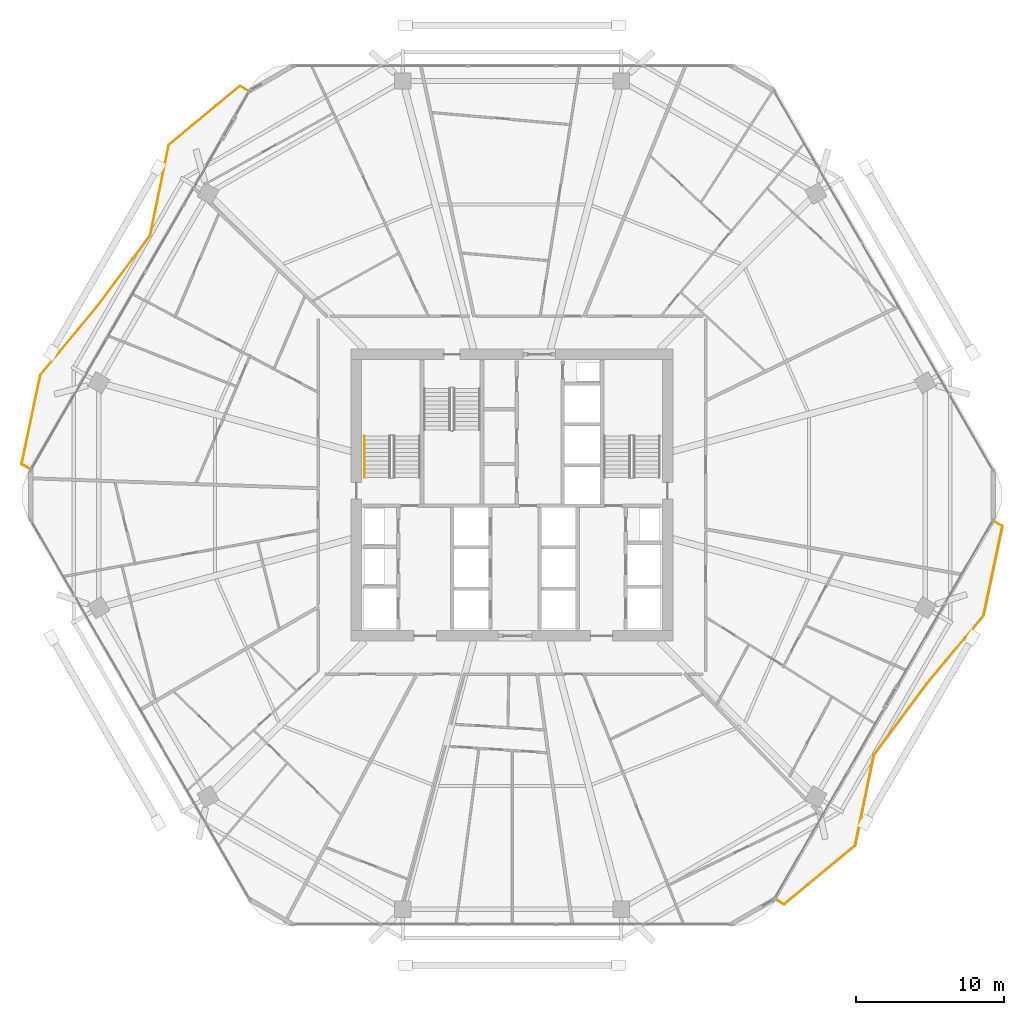
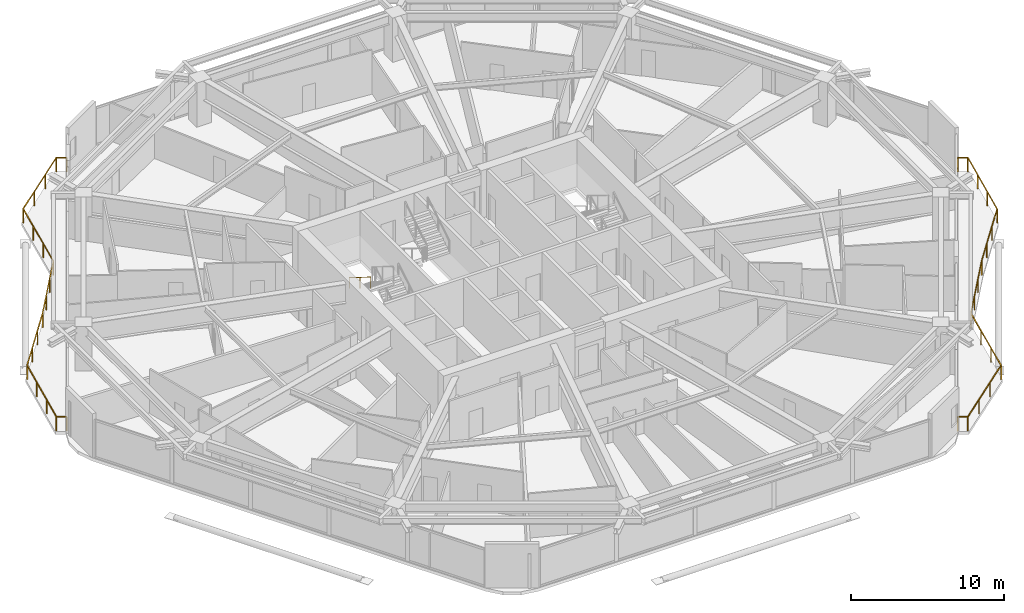
# One storey, part 32 of 33: 3 railings.
"""IFC4 building model written with IfcOpenShell, lengths in metres."""

from ifc_helpers import new_model, si_unit, direction, frame, origin, origin_2d, place, context, subcontext, project, spatial, rectangle, extrude, material, type_object, element, save


model = new_model("IFC4")

# Units and contexts
model_context = context("Model", 3, precision=1e-05, world=origin(), true_north=direction((0.0, 1.0)))
body_context = subcontext(model_context, "Body", "Model", "MODEL_VIEW")
ifc_project = project(units=[si_unit("LENGTHUNIT", "METRE"), si_unit("AREAUNIT", "SQUARE_METRE"), si_unit("VOLUMEUNIT", "CUBIC_METRE"), si_unit("PLANEANGLEUNIT", "RADIAN"), si_unit("MASSUNIT", "GRAM", prefix="KILO")], contexts=[model_context])

# Site, building, storey
site_placement = place(None, origin())
site = spatial("IfcSite", under=ifc_project, at=site_placement, CompositionType="ELEMENT")
building_placement = place(site_placement, origin())
building = spatial("IfcBuilding", under=site, at=building_placement, Name="Zuhravey Tower", CompositionType="ELEMENT")
storey_placement = place(building_placement, frame((0.0, 0.0, 141.800048828125)))
storey = spatial("IfcBuildingStorey", under=building, at=storey_placement, Name="L35", CompositionType="ELEMENT", Elevation=141.800048828125)

# Railings
ifc_material_1 = material(Name="Stainless steel 316 and laminated glass", Category="steel")
railing_type_1 = type_object("IfcRailingType", Name="Balcony & Terrace Guardrail 1150", PredefinedType="BALUSTRADE", material=ifc_material_1)
railing_1_placement = place(storey_placement, frame((68.5166015625, 30.2333984375, 0.0)))
element("IfcRailing", 1, at=railing_1_placement, inside=storey, type_object=railing_type_1, Name="L35 Face 6 Wave Balcony Guardrail GR1", PredefinedType="BALUSTRADE", context=body_context, shape_type="SweptSolid", body=[
    extrude(rectangle(XDim=0.048095703125, YDim=0.048095703125, at=origin_2d()), frame((0.001708984375, -0.0009765625, 1.1259765625), z_axis=(0.865960142641, -0.500113018585, 0.0), x_axis=(0.500113018585, 0.865960142641, 0.0)), (0.0, 0.0, 1.0), 0.663330078125),
    extrude(rectangle(XDim=0.048095703125, YDim=0.048095703125, at=origin_2d()), frame((0.577392578125, -0.335693359375, 1.1259765625), z_axis=(-0.206064559973, -0.97853839839, 0.0), x_axis=(0.97853839839, -0.206064559973, 0.0)), (0.0, 0.0, 1.0), 6.13916015625),
    extrude(rectangle(XDim=0.048095703125, YDim=0.048095703125, at=origin_2d()), frame((-0.689208984375, -6.346435546875, 1.1259765625), z_axis=(-0.638877720518, -0.769308298555, 0.0), x_axis=(0.769308298555, -0.638877720518, 0.0)), (0.0, 0.0, 1.0), 5.991455078125),
    extrude(rectangle(XDim=0.048095703125, YDim=0.048095703125, at=origin_2d()), frame((-4.51953125, -10.958984375, 1.1259765625), z_axis=(-0.597123490289, -0.802149323595, 0.0), x_axis=(0.802149323595, -0.597123490289, 0.0)), (0.0, 0.0, 1.0), 5.99267578125),
    extrude(rectangle(XDim=0.048095703125, YDim=0.048095703125, at=origin_2d()), frame((-8.099609375, -15.76953125, 1.1259765625), z_axis=(-0.201849536167, -0.979416543024, 0.0), x_axis=(0.979416543024, -0.201849536167, 0.0)), (0.0, 0.0, 1.0), 6.232177734375),
    extrude(rectangle(XDim=0.048095703125, YDim=0.048095703125, at=origin_2d()), frame((-9.359375, -21.876708984375, 1.1259765625), z_axis=(-0.769920194049, -0.638140184282, 0.0), x_axis=(0.638140184282, -0.769920194049, 0.0)), (0.0, 0.0, 1.0), 6.217041015625),
    extrude(rectangle(XDim=0.048095703125, YDim=0.048095703125, at=origin_2d()), frame((-14.1494140625, -25.844482421875, 1.1259765625), z_axis=(-0.86610678243, 0.499859021554, 0.0), x_axis=(-0.499859021554, -0.86610678243, 0.0)), (0.0, 0.0, 1.0), 0.66650390625),
    extrude(rectangle(XDim=0.0419921875, YDim=0.0419921875, at=origin_2d()), origin(), (0.0, 0.0, 1.0), 1.099853515625),
    extrude(rectangle(XDim=0.0419921875, YDim=0.0419921875, at=origin_2d()), frame((0.577880859375, -0.333740234375, 0.0)), (0.0, 0.0, 1.0), 1.099853515625),
    extrude(rectangle(XDim=0.0419921875, YDim=0.0419921875, at=origin_2d()), frame((0.156005859375, -2.33740234375, 0.0)), (0.0, 0.0, 1.0), 1.099853515625),
    extrude(rectangle(XDim=0.0419921875, YDim=0.0419921875, at=origin_2d()), frame((-0.26611328125, -4.34130859375, 0.0)), (0.0, 0.0, 1.0), 1.099853515625),
    extrude(rectangle(XDim=0.0419921875, YDim=0.0419921875, at=origin_2d()), frame((-0.68798828125, -6.344970703125, 0.0)), (0.0, 0.0, 1.0), 1.099853515625),
    extrude(rectangle(XDim=0.0419921875, YDim=0.0419921875, at=origin_2d()), frame((-1.96484375, -7.88232421875, 0.0)), (0.0, 0.0, 1.0), 1.099853515625),
    extrude(rectangle(XDim=0.0419921875, YDim=0.0419921875, at=origin_2d()), frame((-3.241455078125, -9.419921875, 0.0)), (0.0, 0.0, 1.0), 1.099853515625),
    extrude(rectangle(XDim=0.0419921875, YDim=0.0419921875, at=origin_2d()), frame((-4.518310546875, -10.957275390625, 0.0)), (0.0, 0.0, 1.0), 1.099853515625),
    extrude(rectangle(XDim=0.0419921875, YDim=0.0419921875, at=origin_2d()), frame((-5.7119140625, -12.560791015625, 0.0)), (0.0, 0.0, 1.0), 1.099853515625),
    extrude(rectangle(XDim=0.0419921875, YDim=0.0419921875, at=origin_2d()), frame((-6.905517578125, -14.1640625, 0.0)), (0.0, 0.0, 1.0), 1.099853515625),
    extrude(rectangle(XDim=0.0419921875, YDim=0.0419921875, at=origin_2d()), frame((-8.09912109375, -15.767578125, 0.0)), (0.0, 0.0, 1.0), 1.099853515625),
    extrude(rectangle(XDim=0.0419921875, YDim=0.0419921875, at=origin_2d()), frame((-8.518798828125, -17.803466796875, 0.0)), (0.0, 0.0, 1.0), 1.099853515625),
    extrude(rectangle(XDim=0.0419921875, YDim=0.0419921875, at=origin_2d()), frame((-8.938232421875, -19.839599609375, 0.0)), (0.0, 0.0, 1.0), 1.099853515625),
    extrude(rectangle(XDim=0.0419921875, YDim=0.0419921875, at=origin_2d()), frame((-9.35791015625, -21.87548828125, 0.0)), (0.0, 0.0, 1.0), 1.099853515625),
    extrude(rectangle(XDim=0.0419921875, YDim=0.0419921875, at=origin_2d()), frame((-10.95458984375, -23.19873046875, 0.0)), (0.0, 0.0, 1.0), 1.099853515625),
    extrude(rectangle(XDim=0.0419921875, YDim=0.0419921875, at=origin_2d()), frame((-12.551025390625, -24.522216796875, 0.0)), (0.0, 0.0, 1.0), 1.099853515625),
    extrude(rectangle(XDim=0.0419921875, YDim=0.0419921875, at=origin_2d()), frame((-14.147705078125, -25.845458984375, 0.0)), (0.0, 0.0, 1.0), 1.099853515625),
    extrude(rectangle(XDim=0.0419921875, YDim=0.0419921875, at=origin_2d()), frame((-14.728515625, -25.51025390625, 0.0)), (0.0, 0.0, 1.0), 1.099853515625),
])
railing_2_placement = place(storey_placement, frame((3.4833984375, 33.7666015625, 0.0)))
element("IfcRailing", 2, at=railing_2_placement, inside=storey, type_object=railing_type_1, Name="L35 Face 3 Wave Balcony Guardrail GR1", PredefinedType="BALUSTRADE", context=body_context, shape_type="SweptSolid", body=[
    extrude(rectangle(XDim=0.048095703125, YDim=0.048095703125, at=origin_2d()), frame((-0.001708984375, 0.0009765625, 1.1259765625), z_axis=(-0.865960142641, 0.500113018585, 0.0), x_axis=(-0.500113018585, -0.865960142641, 0.0)), (0.0, 0.0, 1.0), 0.663330078125),
    extrude(rectangle(XDim=0.048095703125, YDim=0.048095703125, at=origin_2d()), frame((-0.577392578125, 0.335693359375, 1.1259765625), z_axis=(0.206064559973, 0.97853839839, 0.0), x_axis=(-0.97853839839, 0.206064559973, 0.0)), (0.0, 0.0, 1.0), 6.13916015625),
    extrude(rectangle(XDim=0.048095703125, YDim=0.048095703125, at=origin_2d()), frame((0.689208984375, 6.346435546875, 1.1259765625), z_axis=(0.638877720518, 0.769308298555, 0.0), x_axis=(-0.769308298555, 0.638877720518, 0.0)), (0.0, 0.0, 1.0), 5.991455078125),
    extrude(rectangle(XDim=0.048095703125, YDim=0.048095703125, at=origin_2d()), frame((4.51953125, 10.958984375, 1.1259765625), z_axis=(0.597123490289, 0.802149323595, 0.0), x_axis=(-0.802149323595, 0.597123490289, 0.0)), (0.0, 0.0, 1.0), 5.99267578125),
    extrude(rectangle(XDim=0.048095703125, YDim=0.048095703125, at=origin_2d()), frame((8.099609375, 15.76953125, 1.1259765625), z_axis=(0.201849536167, 0.979416543024, 0.0), x_axis=(-0.979416543024, 0.201849536167, 0.0)), (0.0, 0.0, 1.0), 6.232177734375),
    extrude(rectangle(XDim=0.048095703125, YDim=0.048095703125, at=origin_2d()), frame((9.359375, 21.876708984375, 1.1259765625), z_axis=(0.769920194049, 0.638140184282, 0.0), x_axis=(-0.638140184282, 0.769920194049, 0.0)), (0.0, 0.0, 1.0), 6.217041015625),
    extrude(rectangle(XDim=0.048095703125, YDim=0.048095703125, at=origin_2d()), frame((14.1494140625, 25.844482421875, 1.1259765625), z_axis=(0.86610678243, -0.499859021554, 0.0), x_axis=(0.499859021554, 0.86610678243, 0.0)), (0.0, 0.0, 1.0), 0.66650390625),
    extrude(rectangle(XDim=0.0419921875, YDim=0.0419921875, at=origin_2d()), origin(), (0.0, 0.0, 1.0), 1.099853515625),
    extrude(rectangle(XDim=0.0419921875, YDim=0.0419921875, at=origin_2d()), frame((-0.577880859375, 0.333740234375, 0.0)), (0.0, 0.0, 1.0), 1.099853515625),
    extrude(rectangle(XDim=0.0419921875, YDim=0.0419921875, at=origin_2d()), frame((-0.156005859375, 2.33740234375, 0.0)), (0.0, 0.0, 1.0), 1.099853515625),
    extrude(rectangle(XDim=0.0419921875, YDim=0.0419921875, at=origin_2d()), frame((0.26611328125, 4.34130859375, 0.0)), (0.0, 0.0, 1.0), 1.099853515625),
    extrude(rectangle(XDim=0.0419921875, YDim=0.0419921875, at=origin_2d()), frame((0.68798828125, 6.344970703125, 0.0)), (0.0, 0.0, 1.0), 1.099853515625),
    extrude(rectangle(XDim=0.0419921875, YDim=0.0419921875, at=origin_2d()), frame((1.96484375, 7.88232421875, 0.0)), (0.0, 0.0, 1.0), 1.099853515625),
    extrude(rectangle(XDim=0.0419921875, YDim=0.0419921875, at=origin_2d()), frame((3.241455078125, 9.419921875, 0.0)), (0.0, 0.0, 1.0), 1.099853515625),
    extrude(rectangle(XDim=0.0419921875, YDim=0.0419921875, at=origin_2d()), frame((4.518310546875, 10.957275390625, 0.0)), (0.0, 0.0, 1.0), 1.099853515625),
    extrude(rectangle(XDim=0.0419921875, YDim=0.0419921875, at=origin_2d()), frame((5.7119140625, 12.560791015625, 0.0)), (0.0, 0.0, 1.0), 1.099853515625),
    extrude(rectangle(XDim=0.0419921875, YDim=0.0419921875, at=origin_2d()), frame((6.905517578125, 14.1640625, 0.0)), (0.0, 0.0, 1.0), 1.099853515625),
    extrude(rectangle(XDim=0.0419921875, YDim=0.0419921875, at=origin_2d()), frame((8.09912109375, 15.767578125, 0.0)), (0.0, 0.0, 1.0), 1.099853515625),
    extrude(rectangle(XDim=0.0419921875, YDim=0.0419921875, at=origin_2d()), frame((8.518798828125, 17.803466796875, 0.0)), (0.0, 0.0, 1.0), 1.099853515625),
    extrude(rectangle(XDim=0.0419921875, YDim=0.0419921875, at=origin_2d()), frame((8.938232421875, 19.839599609375, 0.0)), (0.0, 0.0, 1.0), 1.099853515625),
    extrude(rectangle(XDim=0.0419921875, YDim=0.0419921875, at=origin_2d()), frame((9.35791015625, 21.87548828125, 0.0)), (0.0, 0.0, 1.0), 1.099853515625),
    extrude(rectangle(XDim=0.0419921875, YDim=0.0419921875, at=origin_2d()), frame((10.95458984375, 23.19873046875, 0.0)), (0.0, 0.0, 1.0), 1.099853515625),
    extrude(rectangle(XDim=0.0419921875, YDim=0.0419921875, at=origin_2d()), frame((12.551025390625, 24.522216796875, 0.0)), (0.0, 0.0, 1.0), 1.099853515625),
    extrude(rectangle(XDim=0.0419921875, YDim=0.0419921875, at=origin_2d()), frame((14.147705078125, 25.845458984375, 0.0)), (0.0, 0.0, 1.0), 1.099853515625),
    extrude(rectangle(XDim=0.0419921875, YDim=0.0419921875, at=origin_2d()), frame((14.728515625, 25.51025390625, 0.0)), (0.0, 0.0, 1.0), 1.099853515625),
])
ifc_material_2 = material(Name="Brushed stainless steel", Category="steel")
railing_type_2 = type_object("IfcRailingType", Name="Stair Wall Handrail 900", PredefinedType="HANDRAIL", material=ifc_material_2)
railing_3_placement = place(storey_placement, frame((26.050048828125, 36.0, 2.07275390625)))
element("IfcRailing", 3, at=railing_3_placement, inside=storey, type_object=railing_type_2, Name="L35 ST1 stair handrail 2", PredefinedType="HANDRAIL", context=body_context, shape_type="SweptSolid", body=[
    extrude(rectangle(XDim=0.048095703125, YDim=0.048095703125, at=origin_2d()), frame((0.0, -0.001708984375, 0.876953125), z_axis=(0.0, -0.851089632645, 0.525020415988), x_axis=(1.0, 0.0, 0.0)), (0.0, 0.0, 1.0), 3.285888671875),
    extrude(rectangle(XDim=0.0419921875, YDim=0.0419921875, at=origin_2d()), origin(), (0.0, 0.0, 1.0), 0.849853515625),
    extrude(rectangle(XDim=0.0419921875, YDim=0.0419921875, at=origin_2d()), frame((0.0, -1.39990234375, 0.86376953125)), (0.0, 0.0, 1.0), 0.849853515625),
    extrude(rectangle(XDim=0.0419921875, YDim=0.0419921875, at=origin_2d()), frame((0.0, -2.800048828125, 1.727294921875)), (0.0, 0.0, 1.0), 0.849853515625),
])

save(model, "model.ifc")
